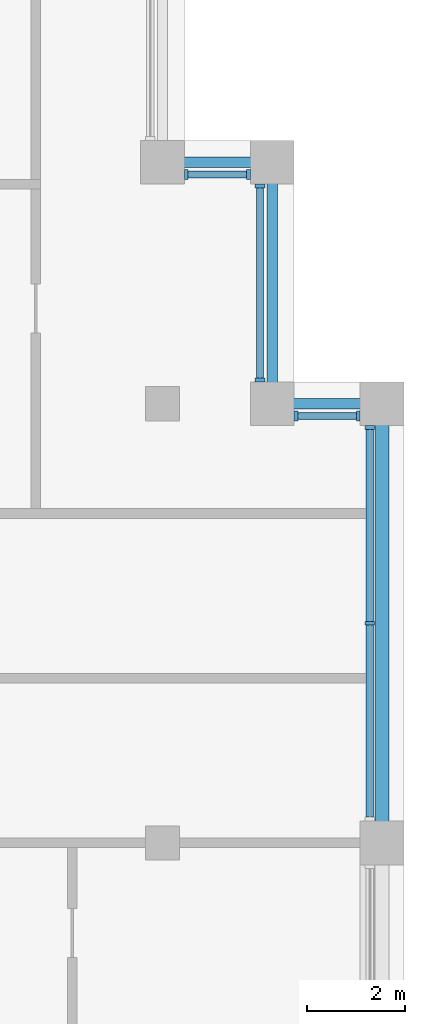
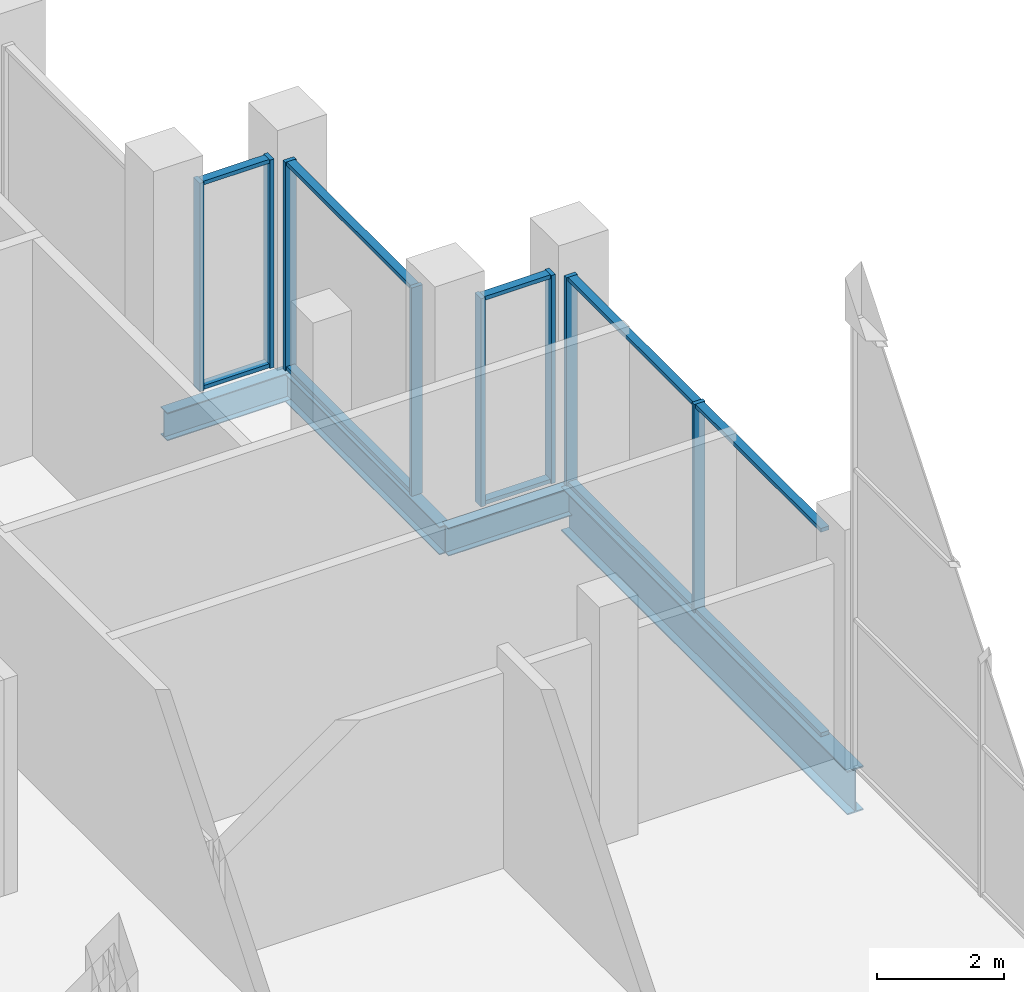
# One storey, part 6 of 14: 18 members, 4 beams, 4 elements without a shape of their own.
"""IFC4 building model written with IfcOpenShell, lengths in metres."""

from ifc_helpers import new_model, si_unit, direction, frame, origin, origin_2d, place, context, subcontext, project, spatial, rectangle, i_section, extrude, material, layer, layer_set, material_profile, profile_set, type_object, element, aggregate, save


model = new_model("IFC4")

# Units and contexts
model_context = context("Model", 3, precision=1e-05, world=origin(), true_north=direction((0.0, 1.0)))
body_context = subcontext(model_context, "Body", "Model", "MODEL_VIEW")
ifc_project = project(units=[si_unit("LENGTHUNIT", "METRE"), si_unit("AREAUNIT", "SQUARE_METRE"), si_unit("VOLUMEUNIT", "CUBIC_METRE"), si_unit("PLANEANGLEUNIT", "RADIAN"), si_unit("MASSUNIT", "GRAM", prefix="KILO")], contexts=[model_context])

# Site, building, storey
site_placement = place(None, origin())
site = spatial("IfcSite", under=ifc_project, at=site_placement, CompositionType="ELEMENT")
building_placement = place(site_placement, origin())
building = spatial("IfcBuilding", under=site, at=building_placement, Name="Corbelhall Arena Tower", CompositionType="ELEMENT")
storey_placement = place(building_placement, frame((0.0, 0.0, 376.0)))
storey = spatial("IfcBuildingStorey", under=building, at=storey_placement, Name="L81", CompositionType="ELEMENT", Elevation=376.0)

# Curtain wall, members
ifc_material_1 = material(Name="Aluminium black anodised", Category="aluminium")
ifc_layer = layer(ifc_material_1, 0.179931640625)
ifc_layer_set = layer_set([ifc_layer], Name="EV-CW3 Crown glazing")
curtain_wall_type = type_object("IfcCurtainWallType", Name="EV-CW3 Crown glazing", PredefinedType="NOTDEFINED", material=ifc_layer_set)
curtain_wall_1_placement = place(storey_placement, origin())
curtain_wall_1 = element("IfcCurtainWall", 1, at=curtain_wall_1_placement, inside=storey, type_object=curtain_wall_type, Name="Curtain wall CW3", PredefinedType="NOTDEFINED")
ifc_material_profile_1 = material_profile(ifc_material_1, rectangle(XDim=0.199951171875, YDim=0.074951171875, at=origin_2d()))
ifc_profile_set_1 = profile_set([ifc_material_profile_1], Name="Aluminium black anodised")
member_type_1 = type_object("IfcMemberType", Name="EV-CW3-MULLION", PredefinedType="MULLION", material=ifc_profile_set_1)
member_1_placement = place(storey_placement, frame((26.75, 13.5, 0.0), z_axis=(0.0, 0.0, 1.0), x_axis=(-1.0, 0.0, 0.0)))
member_1 = element("IfcMember", 2, at=member_1_placement, type_object=member_type_1, Name="CW3 mullion 2", PredefinedType="MULLION", context=body_context, shape_type="SweptSolid", body=[
    extrude(rectangle(XDim=0.199951171875, YDim=0.074951171875, at=origin_2d()), origin(), (0.0, 0.0, 1.0), 3.99951171875),
])
member_2_placement = place(storey_placement, frame((26.75, 17.512451171875, 0.0), z_axis=(0.0, 0.0, 1.0), x_axis=(-1.0, 0.0, 0.0)))
member_2 = element("IfcMember", 3, at=member_2_placement, type_object=member_type_1, Name="CW3 mullion 3", PredefinedType="MULLION", context=body_context, shape_type="SweptSolid", body=[
    extrude(rectangle(XDim=0.199951171875, YDim=0.074951171875, at=origin_2d()), origin(), (0.0, 0.0, 1.0), 3.99951171875),
])

curtain_wall_2_placement = place(storey_placement, origin())
curtain_wall_2 = element("IfcCurtainWall", 4, at=curtain_wall_2_placement, inside=storey, type_object=curtain_wall_type, Name="Curtain wall CW3B", PredefinedType="NOTDEFINED")
member_3_placement = place(storey_placement, frame((26.512451171875, 17.75, 0.0), z_axis=(0.0, 0.0, 1.0), x_axis=(0.0, -1.0, 0.0)))
member_3 = element("IfcMember", 5, at=member_3_placement, type_object=member_type_1, Name="CW3B mullion 1", PredefinedType="MULLION", context=body_context, shape_type="SweptSolid", body=[
    extrude(rectangle(XDim=0.199951171875, YDim=0.074951171875, at=origin_2d()), origin(), (0.0, 0.0, 1.0), 3.99951171875),
])
member_4_placement = place(storey_placement, frame((25.237548828125, 17.75, 0.0), z_axis=(0.0, 0.0, 1.0), x_axis=(0.0, -1.0, 0.0)))
member_4 = element("IfcMember", 6, at=member_4_placement, type_object=member_type_1, Name="CW3B mullion 2", PredefinedType="MULLION", context=body_context, shape_type="SweptSolid", body=[
    extrude(rectangle(XDim=0.199951171875, YDim=0.074951171875, at=origin_2d()), origin(), (0.0, 0.0, 1.0), 3.99951171875),
])

curtain_wall_3_placement = place(storey_placement, origin())
curtain_wall_3 = element("IfcCurtainWall", 7, at=curtain_wall_3_placement, inside=storey, type_object=curtain_wall_type, Name="Curtain wall CW3", PredefinedType="NOTDEFINED")
member_5_placement = place(storey_placement, frame((24.5, 18.487548828125, 0.0), z_axis=(0.0, 0.0, 1.0), x_axis=(-1.0, 0.0, 0.0)))
member_5 = element("IfcMember", 8, at=member_5_placement, type_object=member_type_1, Name="CW3 mullion 1", PredefinedType="MULLION", context=body_context, shape_type="SweptSolid", body=[
    extrude(rectangle(XDim=0.199951171875, YDim=0.074951171875, at=origin_2d()), origin(), (0.0, 0.0, 1.0), 3.99951171875),
])
member_6_placement = place(storey_placement, frame((24.5, 22.46240234375, 0.0), z_axis=(0.0, 0.0, 1.0), x_axis=(-1.0, 0.0, 0.0)))
member_6 = element("IfcMember", 9, at=member_6_placement, type_object=member_type_1, Name="CW3 mullion 2", PredefinedType="MULLION", context=body_context, shape_type="SweptSolid", body=[
    extrude(rectangle(XDim=0.199951171875, YDim=0.074951171875, at=origin_2d()), origin(), (0.0, 0.0, 1.0), 3.99951171875),
])

curtain_wall_4_placement = place(storey_placement, origin())
curtain_wall_4 = element("IfcCurtainWall", 10, at=curtain_wall_4_placement, inside=storey, type_object=curtain_wall_type, Name="Curtain wall CW3B", PredefinedType="NOTDEFINED")
member_7_placement = place(storey_placement, frame((24.262451171875, 22.699951171875, 0.0), z_axis=(0.0, 0.0, 1.0), x_axis=(0.0, -1.0, 0.0)))
member_7 = element("IfcMember", 11, at=member_7_placement, type_object=member_type_1, Name="CW3B mullion 1", PredefinedType="MULLION", context=body_context, shape_type="SweptSolid", body=[
    extrude(rectangle(XDim=0.199951171875, YDim=0.074951171875, at=origin_2d()), origin(), (0.0, 0.0, 1.0), 3.99951171875),
])
member_8_placement = place(storey_placement, frame((22.987548828125, 22.699951171875, 0.0), z_axis=(0.0, 0.0, 1.0), x_axis=(0.0, -1.0, 0.0)))
member_8 = element("IfcMember", 12, at=member_8_placement, type_object=member_type_1, Name="CW3B mullion 2", PredefinedType="MULLION", context=body_context, shape_type="SweptSolid", body=[
    extrude(rectangle(XDim=0.199951171875, YDim=0.074951171875, at=origin_2d()), origin(), (0.0, 0.0, 1.0), 3.99951171875),
])

# Member
ifc_material_profile_2 = material_profile(ifc_material_1, rectangle(XDim=0.14990234375, YDim=0.074951171875, at=origin_2d()))
ifc_profile_set_2 = profile_set([ifc_material_profile_2], Name="Aluminium black anodised")
member_type_2 = type_object("IfcMemberType", Name="EV-CW3-TRANSOM", PredefinedType="USERDEFINED", material=ifc_profile_set_2)
member_9_placement = place(storey_placement, frame((26.75, 9.52490234375, 0.03759765625), z_axis=(0.0, 1.0, 0.0), x_axis=(-1.0, 0.0, 0.0)))
member_9 = element("IfcMember", 13, at=member_9_placement, type_object=member_type_2, Name="CW3 transom 1.1", ObjectType="transom", PredefinedType="USERDEFINED", context=body_context, shape_type="SweptSolid", body=[
    extrude(rectangle(XDim=0.14990234375, YDim=0.074951171875, at=origin_2d()), origin(), (0.0, 0.0, 1.0), 3.9375),
])

member_10_placement = place(storey_placement, frame((26.75, 9.52490234375, 3.962158203125), z_axis=(0.0, 1.0, 0.0), x_axis=(-1.0, 0.0, 0.0)))
member_10 = element("IfcMember", 14, at=member_10_placement, type_object=member_type_2, Name="CW3 transom 1.2", ObjectType="transom", PredefinedType="USERDEFINED", context=body_context, shape_type="SweptSolid", body=[
    extrude(rectangle(XDim=0.14990234375, YDim=0.074951171875, at=origin_2d()), origin(), (0.0, 0.0, 1.0), 3.9375),
])

member_11_placement = place(storey_placement, frame((26.75, 13.53759765625, 0.03759765625), z_axis=(0.0, 1.0, 0.0), x_axis=(-1.0, 0.0, 0.0)))
member_11 = element("IfcMember", 15, at=member_11_placement, type_object=member_type_2, Name="CW3 transom 2.1", ObjectType="transom", PredefinedType="USERDEFINED", context=body_context, shape_type="SweptSolid", body=[
    extrude(rectangle(XDim=0.14990234375, YDim=0.074951171875, at=origin_2d()), origin(), (0.0, 0.0, 1.0), 3.9375),
])

member_12_placement = place(storey_placement, frame((26.75, 13.53759765625, 3.962158203125), z_axis=(0.0, 1.0, 0.0), x_axis=(-1.0, 0.0, 0.0)))
member_12 = element("IfcMember", 16, at=member_12_placement, type_object=member_type_2, Name="CW3 transom 2.2", ObjectType="transom", PredefinedType="USERDEFINED", context=body_context, shape_type="SweptSolid", body=[
    extrude(rectangle(XDim=0.14990234375, YDim=0.074951171875, at=origin_2d()), origin(), (0.0, 0.0, 1.0), 3.9375),
])

aggregate(curtain_wall_1, [member_1, member_2, member_9, member_10, member_11, member_12])

member_13_placement = place(storey_placement, frame((26.47509765625, 17.75, 0.03759765625), z_axis=(-1.0, 0.0, 0.0), x_axis=(0.0, -1.0, 0.0)))
member_13 = element("IfcMember", 17, at=member_13_placement, type_object=member_type_2, Name="CW3B transom 1.1", ObjectType="transom", PredefinedType="USERDEFINED", context=body_context, shape_type="SweptSolid", body=[
    extrude(rectangle(XDim=0.14990234375, YDim=0.074951171875, at=origin_2d()), origin(), (0.0, 0.0, 1.0), 1.2001953125),
])

member_14_placement = place(storey_placement, frame((26.47509765625, 17.75, 3.962158203125), z_axis=(-1.0, 0.0, 0.0), x_axis=(0.0, -1.0, 0.0)))
member_14 = element("IfcMember", 18, at=member_14_placement, type_object=member_type_2, Name="CW3B transom 1.2", ObjectType="transom", PredefinedType="USERDEFINED", context=body_context, shape_type="SweptSolid", body=[
    extrude(rectangle(XDim=0.14990234375, YDim=0.074951171875, at=origin_2d()), origin(), (0.0, 0.0, 1.0), 1.2001953125),
])

aggregate(curtain_wall_2, [member_3, member_4, member_13, member_14])

member_15_placement = place(storey_placement, frame((24.5, 18.52490234375, 0.03759765625), z_axis=(0.0, 1.0, 0.0), x_axis=(-1.0, 0.0, 0.0)))
member_15 = element("IfcMember", 19, at=member_15_placement, type_object=member_type_2, Name="CW3 transom 1.1", ObjectType="transom", PredefinedType="USERDEFINED", context=body_context, shape_type="SweptSolid", body=[
    extrude(rectangle(XDim=0.14990234375, YDim=0.074951171875, at=origin_2d()), origin(), (0.0, 0.0, 1.0), 3.900146484375),
])

member_16_placement = place(storey_placement, frame((24.5, 18.52490234375, 3.962158203125), z_axis=(0.0, 1.0, 0.0), x_axis=(-1.0, 0.0, 0.0)))
member_16 = element("IfcMember", 20, at=member_16_placement, type_object=member_type_2, Name="CW3 transom 1.2", ObjectType="transom", PredefinedType="USERDEFINED", context=body_context, shape_type="SweptSolid", body=[
    extrude(rectangle(XDim=0.14990234375, YDim=0.074951171875, at=origin_2d()), origin(), (0.0, 0.0, 1.0), 3.900146484375),
])

aggregate(curtain_wall_3, [member_5, member_6, member_15, member_16])

member_17_placement = place(storey_placement, frame((24.22509765625, 22.699951171875, 0.03759765625), z_axis=(-1.0, 0.0, 0.0), x_axis=(0.0, -1.0, 0.0)))
member_17 = element("IfcMember", 21, at=member_17_placement, type_object=member_type_2, Name="CW3B transom 1.1", ObjectType="transom", PredefinedType="USERDEFINED", context=body_context, shape_type="SweptSolid", body=[
    extrude(rectangle(XDim=0.14990234375, YDim=0.074951171875, at=origin_2d()), origin(), (0.0, 0.0, 1.0), 1.2001953125),
])

member_18_placement = place(storey_placement, frame((24.22509765625, 22.699951171875, 3.962158203125), z_axis=(-1.0, 0.0, 0.0), x_axis=(0.0, -1.0, 0.0)))
member_18 = element("IfcMember", 22, at=member_18_placement, type_object=member_type_2, Name="CW3B transom 1.2", ObjectType="transom", PredefinedType="USERDEFINED", context=body_context, shape_type="SweptSolid", body=[
    extrude(rectangle(XDim=0.14990234375, YDim=0.074951171875, at=origin_2d()), origin(), (0.0, 0.0, 1.0), 1.2001953125),
])

aggregate(curtain_wall_4, [member_7, member_8, member_17, member_18])

# Beams
ifc_material_2 = material(Name="Steel ASTM A992 Gr50", Category="steel")
ifc_material_profile_3 = material_profile(ifc_material_2, i_section(OverallWidth=0.2099609375, OverallDepth=0.535888671875, WebThickness=0.010986328125, FlangeThickness=0.017333984375, at=origin_2d()))
ifc_profile_set_3 = profile_set([ifc_material_profile_3], Name="Steel ASTM A992 Gr50")
beam_type_1 = type_object("IfcBeamType", Name="ST-SPANDREL-W21x68", PredefinedType="SPANDREL", material=ifc_profile_set_3)
beam_1_placement = place(storey_placement, frame((22.5, 22.949951171875, -0.66845703125), z_axis=(1.0, 0.0, 0.0), x_axis=(0.0, 1.0, 0.0)))
element("IfcBeam", 23, at=beam_1_placement, inside=storey, type_object=beam_type_1, Name="Beam SP 25", PredefinedType="SPANDREL", context=body_context, shape_type="SweptSolid", body=[
    extrude(i_section(OverallWidth=0.2099609375, OverallDepth=0.535888671875, WebThickness=0.010986328125, FlangeThickness=0.017333984375, at=origin_2d()), origin(), (0.0, 0.0, 1.0), 2.25),
])
beam_2_placement = place(storey_placement, frame((24.75, 22.949951171875, -0.66845703125), z_axis=(0.0, -1.0, 0.0), x_axis=(1.0, 0.0, 0.0)))
element("IfcBeam", 24, at=beam_2_placement, inside=storey, type_object=beam_type_1, Name="Beam SP 26", PredefinedType="SPANDREL", context=body_context, shape_type="SweptSolid", body=[
    extrude(i_section(OverallWidth=0.2099609375, OverallDepth=0.535888671875, WebThickness=0.010986328125, FlangeThickness=0.017333984375, at=origin_2d()), origin(), (0.0, 0.0, 1.0), 4.949951171875),
])
beam_3_placement = place(storey_placement, frame((24.75, 18.0, -0.66845703125), z_axis=(1.0, 0.0, 0.0), x_axis=(0.0, 1.0, 0.0)))
element("IfcBeam", 25, at=beam_3_placement, inside=storey, type_object=beam_type_1, Name="Beam SP 27", PredefinedType="SPANDREL", context=body_context, shape_type="SweptSolid", body=[
    extrude(i_section(OverallWidth=0.2099609375, OverallDepth=0.535888671875, WebThickness=0.010986328125, FlangeThickness=0.017333984375, at=origin_2d()), origin(), (0.0, 0.0, 1.0), 2.25),
])
ifc_material_profile_4 = material_profile(ifc_material_2, i_section(OverallWidth=0.2919921875, OverallDepth=0.845703125, WebThickness=0.015380859375, FlangeThickness=0.0244140625, at=origin_2d()))
ifc_profile_set_4 = profile_set([ifc_material_profile_4], Name="Steel ASTM A992 Gr50")
beam_type_2 = type_object("IfcBeamType", Name="ST-SPANDREL-W33x141", PredefinedType="SPANDREL", material=ifc_profile_set_4)
beam_4_placement = place(storey_placement, frame((27.0, 18.0, -0.8232421875), z_axis=(0.0, -1.0, 0.0), x_axis=(1.0, 0.0, 0.0)))
element("IfcBeam", 26, at=beam_4_placement, inside=storey, type_object=beam_type_2, Name="Beam SP 9", PredefinedType="SPANDREL", context=body_context, shape_type="SweptSolid", body=[
    extrude(i_section(OverallWidth=0.2919921875, OverallDepth=0.845703125, WebThickness=0.015380859375, FlangeThickness=0.0244140625, at=origin_2d()), origin(), (0.0, 0.0, 1.0), 9.0),
])

save(model, "model.ifc")
